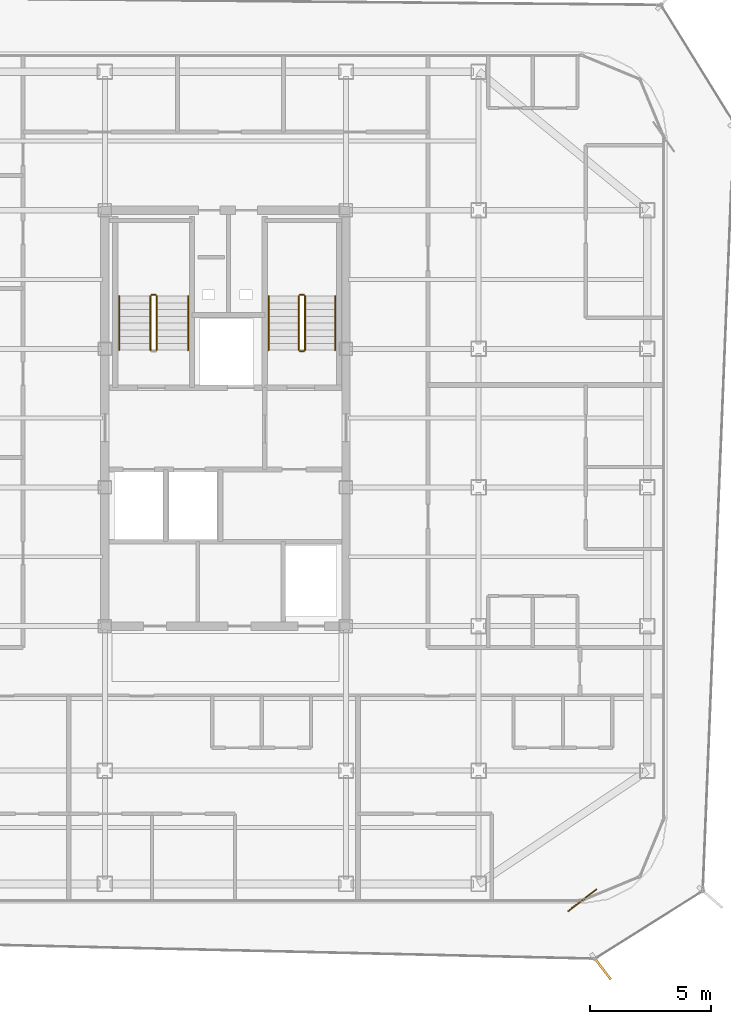
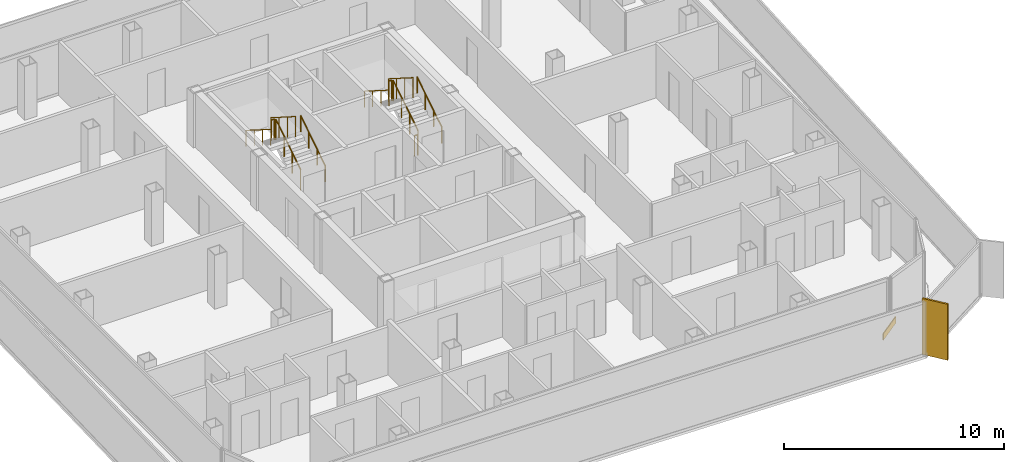
# One storey, part 14 of 15: 11 railings, 1 covering, 1 shading device.
"""IFC4 building model written with IfcOpenShell, lengths in metres."""

from ifc_helpers import new_model, si_unit, direction, frame, origin, origin_2d, place, context, subcontext, project, spatial, rectangle, circle, extrude, source, transform, mapped, material, layer, layer_set, type_object, element, save


model = new_model("IFC4")

# Units and contexts
model_context = context("Model", 3, precision=1e-05, world=origin(), true_north=direction((0.0, 1.0)))
body_context = subcontext(model_context, "Body", "Model", "MODEL_VIEW")
ifc_project = project(units=[si_unit("LENGTHUNIT", "METRE"), si_unit("AREAUNIT", "SQUARE_METRE"), si_unit("VOLUMEUNIT", "CUBIC_METRE"), si_unit("PLANEANGLEUNIT", "RADIAN"), si_unit("MASSUNIT", "GRAM", prefix="KILO")], contexts=[model_context])

# Site, building, storey
site_placement = place(None, origin())
site = spatial("IfcSite", under=ifc_project, at=site_placement, CompositionType="ELEMENT")
building_placement = place(site_placement, origin())
building = spatial("IfcBuilding", under=site, at=building_placement, Name="Kolveth Station Tower", CompositionType="ELEMENT")
storey_placement = place(building_placement, frame((0.0, 0.0, 255.300048828125)))
storey = spatial("IfcBuildingStorey", under=building, at=storey_placement, Name="L73", CompositionType="ELEMENT", Elevation=255.300048828125)

# Railings
ifc_material_1 = material(Name="Painted Steel S355 balustrade", Category="steel")
railing_type_1 = type_object("IfcRailingType", Name="Guard_GR2", PredefinedType="BALUSTRADE", material=ifc_material_1)
railing_1_placement = place(storey_placement, frame((20.64990234375, 22.949951171875, 0.177734375)))
element("IfcRailing", 1, at=railing_1_placement, inside=storey, type_object=railing_type_1, Name="L73 ST1 stair guard 1", PredefinedType="BALUSTRADE", context=body_context, shape_type="SweptSolid", body=[
    extrude(circle(Radius=0.02392578125, at=origin_2d()), frame((0.0, 0.0, 1.1259765625), z_axis=(0.0, 0.8442293374, 0.53598211339), x_axis=(-1.0, 0.0, 0.0)), (0.0, 0.0, 1.0), 2.6533203125),
    extrude(circle(Radius=0.02099609375, at=origin_2d()), origin(), (0.0, 0.0, 1.0), 1.101806640625),
    extrude(circle(Radius=0.02099609375, at=origin_2d()), frame((0.0, 0.74658203125, 0.47412109375)), (0.0, 0.0, 1.0), 1.101806640625),
    extrude(circle(Radius=0.02099609375, at=origin_2d()), frame((0.0, 1.493408203125, 0.947998046875)), (0.0, 0.0, 1.0), 1.101806640625),
    extrude(circle(Radius=0.02099609375, at=origin_2d()), frame((0.0, 2.239990234375, 1.422119140625)), (0.0, 0.0, 1.0), 1.101806640625),
])
railing_2_placement = place(storey_placement, frame((20.60009765625, 25.239990234375, 1.599853515625)))
element("IfcRailing", 2, at=railing_2_placement, inside=storey, type_object=railing_type_1, Name="L73 ST1 stair guard 2", PredefinedType="BALUSTRADE", context=body_context, shape_type="SweptSolid", body=[
    extrude(circle(Radius=0.02392578125, at=origin_2d()), frame((0.0, 0.0, 1.1259765625), z_axis=(-1.0, 0.0, 0.0), x_axis=(0.0, -1.0, 0.0)), (0.0, 0.0, 1.0), 0.16015625),
    extrude(circle(Radius=0.02099609375, at=origin_2d()), origin(), (0.0, 0.0, 1.0), 1.101806640625),
    extrude(circle(Radius=0.02099609375, at=origin_2d()), frame((-0.16015625, 0.0, 0.0)), (0.0, 0.0, 1.0), 1.101806640625),
])
railing_3_placement = place(storey_placement, frame((20.389892578125, 25.18994140625, 1.77783203125)))
element("IfcRailing", 3, at=railing_3_placement, inside=storey, type_object=railing_type_1, Name="L73 ST1 stair guard 3", PredefinedType="BALUSTRADE", context=body_context, shape_type="SweptSolid", body=[
    extrude(circle(Radius=0.02392578125, at=origin_2d()), frame((0.0, 0.0, 1.1259765625), z_axis=(0.0, -0.8442293374, 0.53598211339), x_axis=(1.0, 0.0, 0.0)), (0.0, 0.0, 1.0), 2.6533203125),
    extrude(circle(Radius=0.02099609375, at=origin_2d()), origin(), (0.0, 0.0, 1.0), 1.101806640625),
    extrude(circle(Radius=0.02099609375, at=origin_2d()), frame((0.0, -0.74658203125, 0.47412109375)), (0.0, 0.0, 1.0), 1.101806640625),
    extrude(circle(Radius=0.02099609375, at=origin_2d()), frame((0.0, -1.493408203125, 0.947998046875)), (0.0, 0.0, 1.0), 1.101806640625),
    extrude(circle(Radius=0.02099609375, at=origin_2d()), frame((0.0, -2.239990234375, 1.422119140625)), (0.0, 0.0, 1.0), 1.101806640625),
])
railing_4_placement = place(storey_placement, frame((26.800048828125, 22.949951171875, 0.177734375)))
element("IfcRailing", 4, at=railing_4_placement, inside=storey, type_object=railing_type_1, Name="L73 ST2 stair guard 1", PredefinedType="BALUSTRADE", context=body_context, shape_type="SweptSolid", body=[
    extrude(circle(Radius=0.02392578125, at=origin_2d()), frame((0.0, 0.0, 1.1259765625), z_axis=(0.0, 0.8442293374, 0.53598211339), x_axis=(-1.0, 0.0, 0.0)), (0.0, 0.0, 1.0), 2.6533203125),
    extrude(circle(Radius=0.02099609375, at=origin_2d()), origin(), (0.0, 0.0, 1.0), 1.101806640625),
    extrude(circle(Radius=0.02099609375, at=origin_2d()), frame((0.0, 0.74658203125, 0.47412109375)), (0.0, 0.0, 1.0), 1.101806640625),
    extrude(circle(Radius=0.02099609375, at=origin_2d()), frame((0.0, 1.493408203125, 0.947998046875)), (0.0, 0.0, 1.0), 1.101806640625),
    extrude(circle(Radius=0.02099609375, at=origin_2d()), frame((0.0, 2.239990234375, 1.422119140625)), (0.0, 0.0, 1.0), 1.101806640625),
])
railing_5_placement = place(storey_placement, frame((26.75, 25.239990234375, 1.599853515625)))
element("IfcRailing", 5, at=railing_5_placement, inside=storey, type_object=railing_type_1, Name="L73 ST2 stair guard 2", PredefinedType="BALUSTRADE", context=body_context, shape_type="SweptSolid", body=[
    extrude(circle(Radius=0.02392578125, at=origin_2d()), frame((0.0, 0.0, 1.1259765625), z_axis=(-1.0, 0.0, 0.0), x_axis=(0.0, -1.0, 0.0)), (0.0, 0.0, 1.0), 0.159912109375),
    extrude(circle(Radius=0.02099609375, at=origin_2d()), origin(), (0.0, 0.0, 1.0), 1.101806640625),
    extrude(circle(Radius=0.02099609375, at=origin_2d()), frame((-0.159912109375, 0.0, 0.0)), (0.0, 0.0, 1.0), 1.101806640625),
])
railing_6_placement = place(storey_placement, frame((26.5400390625, 25.18994140625, 1.77783203125)))
element("IfcRailing", 6, at=railing_6_placement, inside=storey, type_object=railing_type_1, Name="L73 ST2 stair guard 3", PredefinedType="BALUSTRADE", context=body_context, shape_type="SweptSolid", body=[
    extrude(circle(Radius=0.02392578125, at=origin_2d()), frame((0.0, 0.0, 1.1259765625), z_axis=(0.0, -0.8442293374, 0.53598211339), x_axis=(1.0, 0.0, 0.0)), (0.0, 0.0, 1.0), 2.6533203125),
    extrude(circle(Radius=0.02099609375, at=origin_2d()), origin(), (0.0, 0.0, 1.0), 1.101806640625),
    extrude(circle(Radius=0.02099609375, at=origin_2d()), frame((0.0, -0.74658203125, 0.47412109375)), (0.0, 0.0, 1.0), 1.101806640625),
    extrude(circle(Radius=0.02099609375, at=origin_2d()), frame((0.0, -1.493408203125, 0.947998046875)), (0.0, 0.0, 1.0), 1.101806640625),
    extrude(circle(Radius=0.02099609375, at=origin_2d()), frame((0.0, -2.239990234375, 1.422119140625)), (0.0, 0.0, 1.0), 1.101806640625),
])
railing_7_placement = place(storey_placement, frame((26.75, 22.89990234375, 0.0)))
element("IfcRailing", 7, at=railing_7_placement, inside=storey, type_object=railing_type_1, Name="L73 ST2 stair guard 4", PredefinedType="BALUSTRADE", context=body_context, shape_type="SweptSolid", body=[
    extrude(circle(Radius=0.02392578125, at=origin_2d()), frame((0.0, 0.0, 1.1259765625), z_axis=(-1.0, 0.0, 0.0), x_axis=(0.0, -1.0, 0.0)), (0.0, 0.0, 1.0), 0.159912109375),
    extrude(circle(Radius=0.02099609375, at=origin_2d()), origin(), (0.0, 0.0, 1.0), 1.101806640625),
    extrude(circle(Radius=0.02099609375, at=origin_2d()), frame((-0.159912109375, 0.0, 0.0)), (0.0, 0.0, 1.0), 1.101806640625),
])
ifc_material_2 = material(Name="Brushed stainless steel", Category="steel")
railing_type_2 = type_object("IfcRailingType", Name="Handrail_HR1", PredefinedType="HANDRAIL", material=ifc_material_2)
railing_8_placement = place(storey_placement, frame((21.949951171875, 22.949951171875, 0.177734375)))
element("IfcRailing", 8, at=railing_8_placement, inside=storey, type_object=railing_type_2, Name="L73 ST1 stair handrail 1", PredefinedType="HANDRAIL", context=body_context, shape_type="SweptSolid", body=[
    extrude(circle(Radius=0.02392578125, at=origin_2d()), frame((0.0, 0.0, 0.8759765625), z_axis=(0.0, 0.8442293374, 0.53598211339), x_axis=(-1.0, 0.0, 0.0)), (0.0, 0.0, 1.0), 2.6533203125),
    extrude(circle(Radius=0.02099609375, at=origin_2d()), origin(), (0.0, 0.0, 1.0), 0.851806640625),
    extrude(circle(Radius=0.02099609375, at=origin_2d()), frame((0.0, 0.74658203125, 0.47412109375)), (0.0, 0.0, 1.0), 0.851806640625),
    extrude(circle(Radius=0.02099609375, at=origin_2d()), frame((0.0, 1.493408203125, 0.947998046875)), (0.0, 0.0, 1.0), 0.851806640625),
    extrude(circle(Radius=0.02099609375, at=origin_2d()), frame((0.0, 2.239990234375, 1.422119140625)), (0.0, 0.0, 1.0), 0.851806640625),
])
railing_9_placement = place(storey_placement, frame((19.090087890625, 25.18994140625, 1.77783203125)))
element("IfcRailing", 9, at=railing_9_placement, inside=storey, type_object=railing_type_2, Name="L73 ST1 stair handrail 2", PredefinedType="HANDRAIL", context=body_context, shape_type="SweptSolid", body=[
    extrude(circle(Radius=0.02392578125, at=origin_2d()), frame((0.0, 0.0, 0.8759765625), z_axis=(0.0, -0.8442293374, 0.53598211339), x_axis=(1.0, 0.0, 0.0)), (0.0, 0.0, 1.0), 2.6533203125),
    extrude(circle(Radius=0.02099609375, at=origin_2d()), origin(), (0.0, 0.0, 1.0), 0.851806640625),
    extrude(circle(Radius=0.02099609375, at=origin_2d()), frame((0.0, -0.74658203125, 0.47412109375)), (0.0, 0.0, 1.0), 0.851806640625),
    extrude(circle(Radius=0.02099609375, at=origin_2d()), frame((0.0, -1.493408203125, 0.947998046875)), (0.0, 0.0, 1.0), 0.851806640625),
    extrude(circle(Radius=0.02099609375, at=origin_2d()), frame((0.0, -2.239990234375, 1.422119140625)), (0.0, 0.0, 1.0), 0.851806640625),
])
railing_10_placement = place(storey_placement, frame((28.050048828125, 22.949951171875, 0.177734375)))
element("IfcRailing", 10, at=railing_10_placement, inside=storey, type_object=railing_type_2, Name="L73 ST2 stair handrail 1", PredefinedType="HANDRAIL", context=body_context, shape_type="SweptSolid", body=[
    extrude(circle(Radius=0.02392578125, at=origin_2d()), frame((0.0, 0.0, 0.8759765625), z_axis=(0.0, 0.8442293374, 0.53598211339), x_axis=(-1.0, 0.0, 0.0)), (0.0, 0.0, 1.0), 2.6533203125),
    extrude(circle(Radius=0.02099609375, at=origin_2d()), origin(), (0.0, 0.0, 1.0), 0.851806640625),
    extrude(circle(Radius=0.02099609375, at=origin_2d()), frame((0.0, 0.74658203125, 0.47412109375)), (0.0, 0.0, 1.0), 0.851806640625),
    extrude(circle(Radius=0.02099609375, at=origin_2d()), frame((0.0, 1.493408203125, 0.947998046875)), (0.0, 0.0, 1.0), 0.851806640625),
    extrude(circle(Radius=0.02099609375, at=origin_2d()), frame((0.0, 2.239990234375, 1.422119140625)), (0.0, 0.0, 1.0), 0.851806640625),
])
railing_11_placement = place(storey_placement, frame((25.2900390625, 25.18994140625, 1.77783203125)))
element("IfcRailing", 11, at=railing_11_placement, inside=storey, type_object=railing_type_2, Name="L73 ST2 stair handrail 2", PredefinedType="HANDRAIL", context=body_context, shape_type="SweptSolid", body=[
    extrude(circle(Radius=0.02392578125, at=origin_2d()), frame((0.0, 0.0, 0.8759765625), z_axis=(0.0, -0.8442293374, 0.53598211339), x_axis=(1.0, 0.0, 0.0)), (0.0, 0.0, 1.0), 2.6533203125),
    extrude(circle(Radius=0.02099609375, at=origin_2d()), origin(), (0.0, 0.0, 1.0), 0.851806640625),
    extrude(circle(Radius=0.02099609375, at=origin_2d()), frame((0.0, -0.74658203125, 0.47412109375)), (0.0, 0.0, 1.0), 0.851806640625),
    extrude(circle(Radius=0.02099609375, at=origin_2d()), frame((0.0, -1.493408203125, 0.947998046875)), (0.0, 0.0, 1.0), 0.851806640625),
    extrude(circle(Radius=0.02099609375, at=origin_2d()), frame((0.0, -2.239990234375, 1.422119140625)), (0.0, 0.0, 1.0), 0.851806640625),
])

# Shading device
ifc_material_3 = material(Name="Black anodized aluminium 6063-T6", Category="aluminium")
shading_device_type = type_object("IfcShadingDeviceType", Name="FIN_VF1", PredefinedType="USERDEFINED", material=ifc_material_3)
shared_shape_1 = source(origin(), body_context, "Body", "SweptSolid", [
    extrude(rectangle(XDim=1.25, YDim=0.090087890625, at=origin_2d()), origin(), (0.0, 0.0, 1.0), 3.10009765625),
])
shading_device_placement = place(storey_placement, frame((39.10498046875, -2.662109375, 0.0), z_axis=(0.0, 0.0, 1.0), x_axis=(0.60917674438, -0.793034484816, 0.0)))
element("IfcShadingDevice", 12, at=shading_device_placement, inside=storey, type_object=shading_device_type, Name="L73 Dark-Aluminium Solar Fin 1", ObjectType="FIN", PredefinedType="USERDEFINED", context=body_context, shape_type="MappedRepresentation", body=[
    mapped(shared_shape_1, transform((0.0, 0.0, 0.0), x_axis=(1.0, 0.0, 0.0), y_axis=(0.0, 1.0, 0.0), z_axis=(0.0, 0.0, 1.0), scale=1.0)),
])

# Covering
ifc_material_4 = material(Name="Charcoal anodized aluminium spandrel cladding", Category="aluminium")
ifc_layer = layer(ifc_material_4, 0.044921875)
ifc_layer_set = layer_set([ifc_layer], Name="Charcoal anodized aluminium spandrel cladding")
covering_type = type_object("IfcCoveringType", Name="Clad_CD1", PredefinedType="CLADDING", material=ifc_layer_set)
shared_shape_2 = source(origin(), body_context, "Body", "SweptSolid", [
    extrude(rectangle(XDim=1.5, YDim=0.044921875, at=origin_2d()), origin(), (0.0, 0.0, 1.0), 0.360107421875),
])
covering_placement = place(storey_placement, frame((38.300048828125, 0.1201171875, 0.0), z_axis=(0.0, 0.0, 1.0), x_axis=(0.793034484816, 0.60917674438, 0.0)))
element("IfcCovering", 13, at=covering_placement, inside=storey, type_object=covering_type, Name="L73 Spandrel Edge Cladding 1", PredefinedType="CLADDING", context=body_context, shape_type="MappedRepresentation", body=[
    mapped(shared_shape_2, transform((0.0, 0.0, 0.0), x_axis=(1.0, 0.0, 0.0), y_axis=(0.0, 1.0, 0.0), z_axis=(0.0, 0.0, 1.0), scale=1.0)),
])

save(model, "model.ifc")
